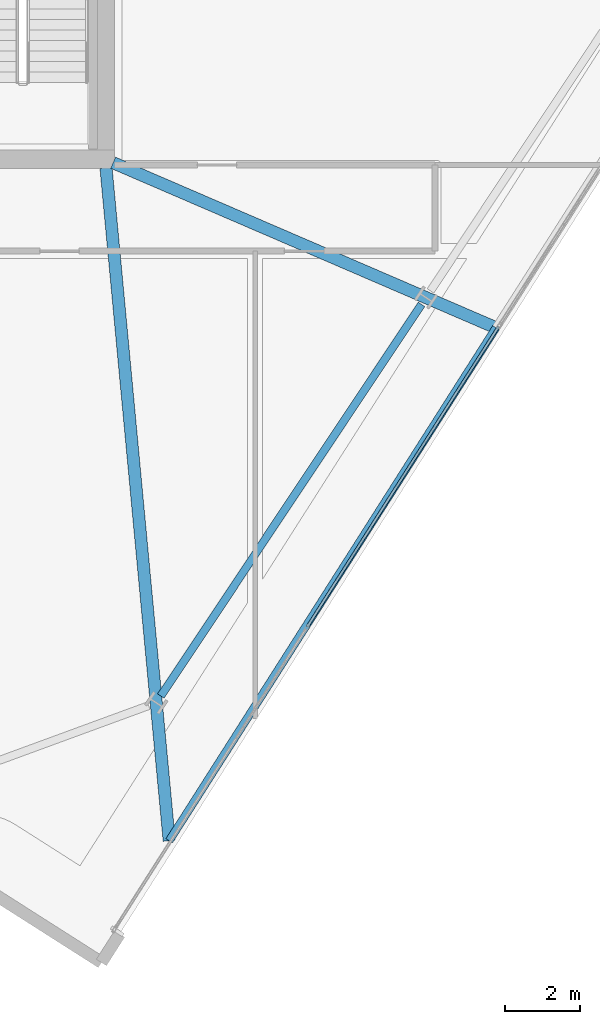
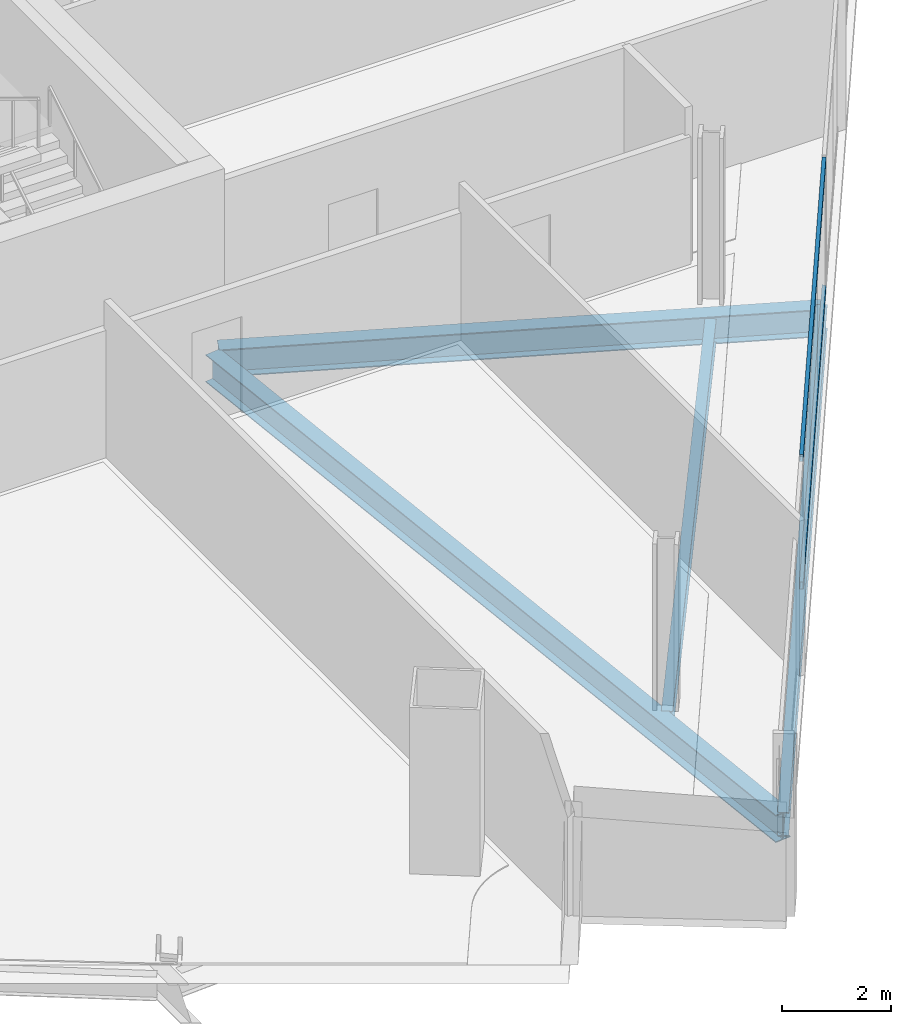
# One storey, part 10 of 30: 4 beams, 2 members, 1 element without a shape of its own.
"""IFC4 building model written with IfcOpenShell, lengths in metres."""

from ifc_helpers import new_model, si_unit, direction, frame, origin, origin_2d, place, context, subcontext, project, spatial, hollow_rectangle, i_section, extrude, material, material_profile, profile_set, type_object, element, aggregate, save


model = new_model("IFC4")

# Units and contexts
model_context = context("Model", 3, precision=1e-05, world=origin(), true_north=direction((0.0, 1.0)))
body_context = subcontext(model_context, "Body", "Model", "MODEL_VIEW")
ifc_project = project(units=[si_unit("LENGTHUNIT", "METRE"), si_unit("AREAUNIT", "SQUARE_METRE"), si_unit("VOLUMEUNIT", "CUBIC_METRE"), si_unit("PLANEANGLEUNIT", "RADIAN"), si_unit("MASSUNIT", "GRAM", prefix="KILO")], contexts=[model_context])

# Site, building, storey
site_placement = place(None, origin())
site = spatial("IfcSite", under=ifc_project, at=site_placement, CompositionType="ELEMENT")
building_placement = place(site_placement, origin())
building = spatial("IfcBuilding", under=site, at=building_placement, Name="Haldenkirk Collegiate Tower", CompositionType="ELEMENT")
storey_placement = place(building_placement, frame((0.0, 0.0, 220.949951171875)))
storey = spatial("IfcBuildingStorey", under=building, at=storey_placement, Name="L55", CompositionType="ELEMENT", Elevation=220.949951171875)

# Beams
ifc_material_1 = material(Name="Steel ASTM A992 Grade 50", Category="steel")
ifc_material_profile_1 = material_profile(ifc_material_1, i_section(OverallWidth=0.324951171875, OverallDepth=0.615966796875, WebThickness=0.013916015625, FlangeThickness=0.021484375, at=origin_2d()), Name="W24X117")
ifc_profile_set_1 = profile_set([ifc_material_profile_1], Name="Steel ASTM A992 Grade 50")
beam_type_1 = type_object("IfcBeamType", Name="BM-GIRDER-W24X117", PredefinedType="BEAM", material=ifc_profile_set_1)
beam_1_placement = place(storey_placement, frame((46.708984375, -0.1923828125, -0.587890625), z_axis=(-0.093529335073, 0.995616524311, 0.0), x_axis=(-0.995616524311, -0.093529335073, 0.0)))
element("IfcBeam", 1, at=beam_1_placement, inside=storey, type_object=beam_type_1, Name="L55 primary floor girder 05", PredefinedType="BEAM", context=body_context, shape_type="SweptSolid", body=[
    extrude(i_section(OverallWidth=0.324951171875, OverallDepth=0.615966796875, WebThickness=0.013916015625, FlangeThickness=0.021484375, at=origin_2d()), origin(), (0.0, 0.0, 1.0), 18.04248046875),
])
beam_2_placement = place(storey_placement, frame((55.43359375, 13.50244140625, -0.587890625), z_axis=(-0.918314876766, 0.395850713161, 0.0), x_axis=(-0.395850713161, -0.918314876766, 0.0)))
element("IfcBeam", 2, at=beam_2_placement, inside=storey, type_object=beam_type_1, Name="L55 primary floor girder 06", PredefinedType="BEAM", context=body_context, shape_type="SweptSolid", body=[
    extrude(i_section(OverallWidth=0.324951171875, OverallDepth=0.615966796875, WebThickness=0.013916015625, FlangeThickness=0.021484375, at=origin_2d()), origin(), (0.0, 0.0, 1.0), 11.131591796875),
])
ifc_material_profile_2 = material_profile(ifc_material_1, i_section(OverallWidth=0.2099609375, OverallDepth=0.537109375, WebThickness=0.010986328125, FlangeThickness=0.017333984375, at=origin_2d()), Name="W21X68")
ifc_profile_set_2 = profile_set([ifc_material_profile_2], Name="Steel ASTM A992 Grade 50")
beam_type_2 = type_object("IfcBeamType", Name="BM-SPANDREL-W21X68", PredefinedType="SPANDREL", material=ifc_profile_set_2)
beam_3_placement = place(storey_placement, frame((46.4833984375, 3.67041015625, -0.54833984375), z_axis=(0.554112521622, 0.832441777773, 0.0), x_axis=(-0.832441777773, 0.554112521622, 0.0)))
element("IfcBeam", 3, at=beam_3_placement, inside=storey, type_object=beam_type_2, Name="L55 perimeter spandrel beam 02", PredefinedType="SPANDREL", context=body_context, shape_type="SweptSolid", body=[
    extrude(i_section(OverallWidth=0.2099609375, OverallDepth=0.537109375, WebThickness=0.010986328125, FlangeThickness=0.017333984375, at=origin_2d()), origin(), (0.0, 0.0, 1.0), 12.561767578125),
])
beam_4_placement = place(storey_placement, frame((46.708984375, -0.1923828125, -0.54833984375), z_axis=(0.537301541852, 0.843390214031, 0.0), x_axis=(-0.843390214031, 0.537301541852, 0.0)))
element("IfcBeam", 4, at=beam_4_placement, inside=storey, type_object=beam_type_2, Name="L55 outer facade edge beam 1A", PredefinedType="SPANDREL", context=body_context, shape_type="SweptSolid", body=[
    extrude(i_section(OverallWidth=0.2099609375, OverallDepth=0.537109375, WebThickness=0.010986328125, FlangeThickness=0.017333984375, at=origin_2d()), origin(), (0.0, 0.0, 1.0), 16.23779296875),
])

# Curtain wall, members
ifc_material_2 = material(Name="Anodised architectural bronze aluminium", Category="aluminium")
curtain_wall_type = type_object("IfcCurtainWallType", Name="CW-SYS2-CONCAVE", PredefinedType="USERDEFINED", material=ifc_material_2)
curtain_wall_placement = place(storey_placement, origin())
curtain_wall = element("IfcCurtainWall", 5, at=curtain_wall_placement, inside=storey, type_object=curtain_wall_type, Name="L55 South concave recessed bronze-anodised curtain wall", ObjectType="UNITISED CURTAIN WALL", PredefinedType="USERDEFINED")
ifc_material_profile_3 = material_profile(ifc_material_2, hollow_rectangle(XDim=0.074951171875, YDim=0.159912109375, WallThickness=0.0048828125, at=origin_2d()), Name="CW-TRN-02")
ifc_profile_set_3 = profile_set([ifc_material_profile_3], Name="Anodised architectural bronze aluminium")
member_type = type_object("IfcMemberType", Name="CW-TRN-02", PredefinedType="USERDEFINED", material=ifc_profile_set_3)
member_1_placement = place(storey_placement, frame((55.500244140625, 13.532470703125, 0.03759765625), z_axis=(-0.537311091324, -0.84338413024, 0.0), x_axis=(0.84338413024, -0.537311091324, 0.0)))
member_1 = element("IfcMember", 6, at=member_1_placement, type_object=member_type, Name="CW-02 transom 3.1", ObjectType="TRANSOM", PredefinedType="USERDEFINED", context=body_context, shape_type="SweptSolid", body=[
    extrude(hollow_rectangle(XDim=0.074951171875, YDim=0.159912109375, WallThickness=0.0048828125, at=origin_2d()), origin(), (0.0, 0.0, 1.0), 9.5),
])
member_2_placement = place(storey_placement, frame((55.500244140625, 13.532470703125, 2.890625), z_axis=(-0.537311091324, -0.84338413024, 0.0), x_axis=(0.84338413024, -0.537311091324, 0.0)))
member_2 = element("IfcMember", 7, at=member_2_placement, type_object=member_type, Name="CW-02 transom 3.2", ObjectType="TRANSOM", PredefinedType="USERDEFINED", context=body_context, shape_type="SweptSolid", body=[
    extrude(hollow_rectangle(XDim=0.074951171875, YDim=0.159912109375, WallThickness=0.0048828125, at=origin_2d()), origin(), (0.0, 0.0, 1.0), 9.5),
])
aggregate(curtain_wall, [member_1, member_2])

save(model, "model.ifc")
